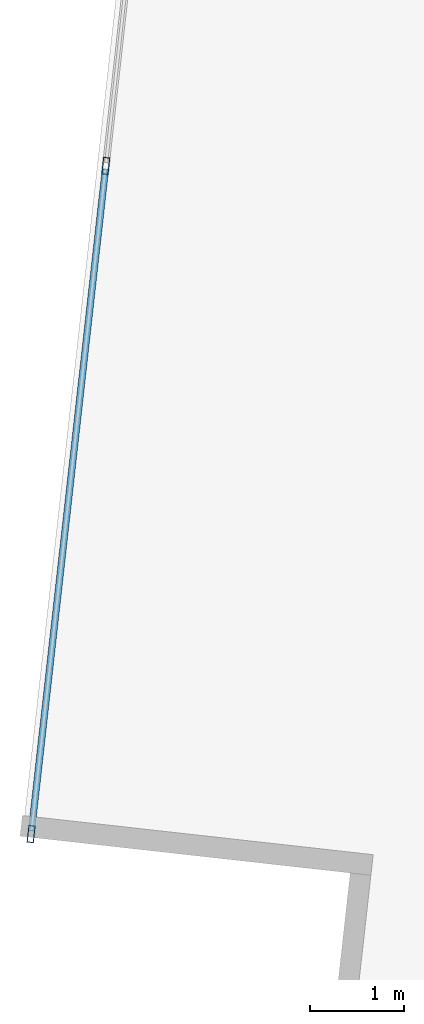
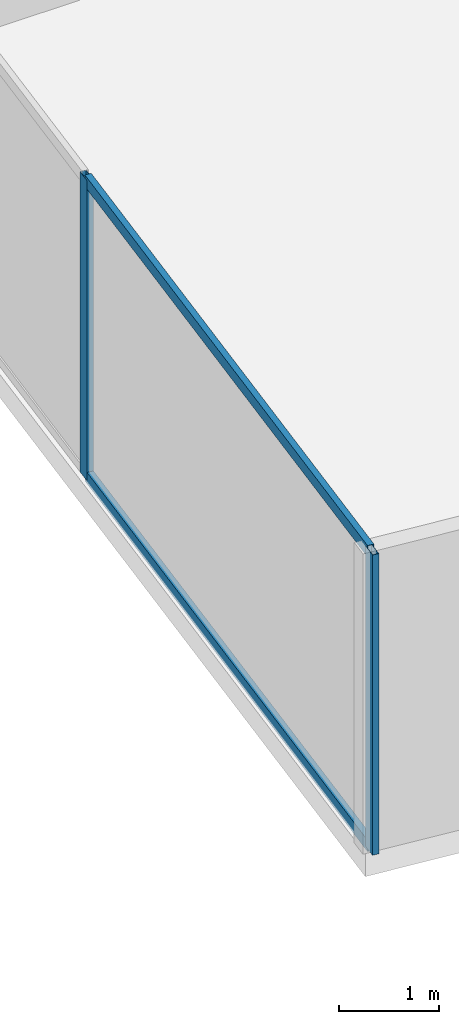
# One storey, part 3 of 29: 4 members, 1 element without a shape of its own.
"""IFC4 building model written with IfcOpenShell, lengths in metres."""

from ifc_helpers import new_model, si_unit, direction, frame, origin, origin_2d, place, context, subcontext, project, spatial, hollow_rectangle, extrude, source, transform, mapped, material, material_profile, profile_set, type_object, type_shapes, element, aggregate, save


model = new_model("IFC4")

# Units and contexts
model_context = context("Model", 3, precision=1e-05, world=origin(), true_north=direction((0.0, 1.0)))
body_context = subcontext(model_context, "Body", "Model", "MODEL_VIEW")
ifc_project = project(units=[si_unit("LENGTHUNIT", "METRE"), si_unit("AREAUNIT", "SQUARE_METRE"), si_unit("VOLUMEUNIT", "CUBIC_METRE"), si_unit("PLANEANGLEUNIT", "RADIAN"), si_unit("MASSUNIT", "GRAM", prefix="KILO")], contexts=[model_context])

# Site, building, storey
site_placement = place(None, origin())
site = spatial("IfcSite", under=ifc_project, at=site_placement, CompositionType="ELEMENT")
building_placement = place(site_placement, origin())
building = spatial("IfcBuilding", under=site, at=building_placement, Name="Krantzveldt Concourse Tower", CompositionType="ELEMENT")
storey_placement = place(building_placement, frame((0.0, 0.0, 60.550048828125)))
storey = spatial("IfcBuildingStorey", under=building, at=storey_placement, Name="L14", CompositionType="ELEMENT", Elevation=60.550048828125)

# Curtain wall, members
ifc_material = material(Name="Anodised aluminium 6063-T6", Category="aluminium")
curtain_wall_type = type_object("IfcCurtainWallType", Name="CW2", PredefinedType="USERDEFINED", material=ifc_material)
curtain_wall_placement = place(storey_placement, origin())
curtain_wall = element("IfcCurtainWall", 1, at=curtain_wall_placement, inside=storey, type_object=curtain_wall_type, Name="CW-L14-F01", ObjectType="UNITISED CURTAIN WALL", PredefinedType="USERDEFINED")
ifc_material_profile_1 = material_profile(ifc_material, hollow_rectangle(XDim=0.070068359375, YDim=0.179931640625, WallThickness=0.0048828125, at=origin_2d()), Name="Anodised aluminium 6063-T6", Category="aluminium")
ifc_profile_set_1 = profile_set([ifc_material_profile_1], Name="Anodised aluminium 6063-T6 - ALU-MULL 180x70x5")
member_type_1 = type_object("IfcMemberType", Name="CW-MUL-180", PredefinedType="MULLION", material=ifc_profile_set_1)
shared_shape_1 = source(origin(), body_context, "Body", "SweptSolid", [
    extrude(hollow_rectangle(XDim=0.070068359375, YDim=0.179931640625, WallThickness=0.0048828125, at=origin_2d()), origin(), (0.0, 0.0, 1.0), 3.669921875),
])
type_shapes(member_type_1, [shared_shape_1])
member_1_placement = place(storey_placement, frame((9.652587890625, 15.22119140625, 0.0), z_axis=(0.0, 0.0, 1.0), x_axis=(0.993816458223, -0.111035342863, 0.0)))
member_1 = element("IfcMember", 2, at=member_1_placement, type_object=member_type_1, Name="CW-Z12 mullion 6", PredefinedType="MULLION", context=body_context, shape_type="MappedRepresentation", body=[
    mapped(shared_shape_1, transform((0.0, 0.0, 0.0), x_axis=(1.0, 0.0, 0.0), y_axis=(0.0, 1.0, 0.0), z_axis=(0.0, 0.0, 1.0), scale=1.0)),
])
member_2_placement = place(storey_placement, frame((8.860595703125, 8.133544921875, 0.0), z_axis=(0.0, 0.0, 1.0), x_axis=(0.993816458223, -0.111035342863, 0.0)))
member_2 = element("IfcMember", 3, at=member_2_placement, type_object=member_type_1, Name="CW-Z12 mullion 7", PredefinedType="MULLION", context=body_context, shape_type="MappedRepresentation", body=[
    mapped(shared_shape_1, transform((0.0, 0.0, 0.0), x_axis=(1.0, 0.0, 0.0), y_axis=(0.0, 1.0, 0.0), z_axis=(0.0, 0.0, 1.0), scale=1.0)),
])
ifc_material_profile_2 = material_profile(ifc_material, hollow_rectangle(XDim=0.070068359375, YDim=0.139892578125, WallThickness=0.0048828125, at=origin_2d()), Name="Anodised aluminium 6063-T6", Category="aluminium")
ifc_profile_set_2 = profile_set([ifc_material_profile_2], Name="Anodised aluminium 6063-T6 - ALU-TRAN 140x70x5")
member_type_2 = type_object("IfcMemberType", Name="CW-TRN-150", PredefinedType="USERDEFINED", material=ifc_profile_set_2)
shared_shape_2 = source(origin(), body_context, "Body", "SweptSolid", [
    extrude(hollow_rectangle(XDim=0.070068359375, YDim=0.139892578125, WallThickness=0.0048828125, at=origin_2d()), origin(), (0.0, 0.0, 1.0), 7.061767578125),
])
type_shapes(member_type_2, [shared_shape_2])
member_3_placement = place(storey_placement, frame((9.648681640625, 15.1865234375, 0.034912109375), z_axis=(-0.111046217254, -0.993815243208, 0.0), x_axis=(0.993815243208, -0.111046217254, 0.0)))
member_3 = element("IfcMember", 4, at=member_3_placement, type_object=member_type_2, Name="CW-Z12 transom 6.1", ObjectType="TRANSOM", PredefinedType="USERDEFINED", context=body_context, shape_type="MappedRepresentation", body=[
    mapped(shared_shape_2, transform((0.0, 0.0, 0.0), x_axis=(1.0, 0.0, 0.0), y_axis=(0.0, 1.0, 0.0), z_axis=(0.0, 0.0, 1.0), scale=1.0)),
])
member_4_placement = place(storey_placement, frame((9.648681640625, 15.1865234375, 3.635009765625), z_axis=(-0.111046217254, -0.993815243208, 0.0), x_axis=(0.993815243208, -0.111046217254, 0.0)))
member_4 = element("IfcMember", 5, at=member_4_placement, type_object=member_type_2, Name="CW-Z12 transom 6.2", ObjectType="TRANSOM", PredefinedType="USERDEFINED", context=body_context, shape_type="MappedRepresentation", body=[
    mapped(shared_shape_2, transform((0.0, 0.0, 0.0), x_axis=(1.0, 0.0, 0.0), y_axis=(0.0, 1.0, 0.0), z_axis=(0.0, 0.0, 1.0), scale=1.0)),
])
aggregate(curtain_wall, [member_1, member_2, member_3, member_4])

save(model, "model.ifc")
